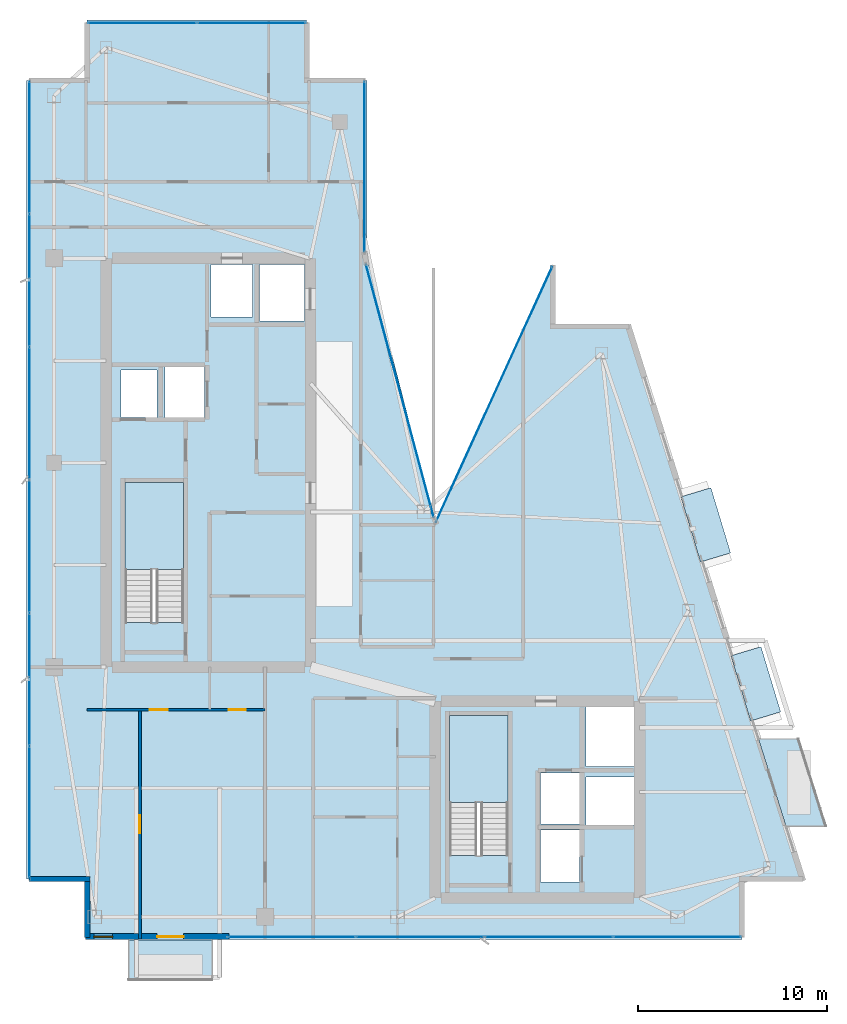
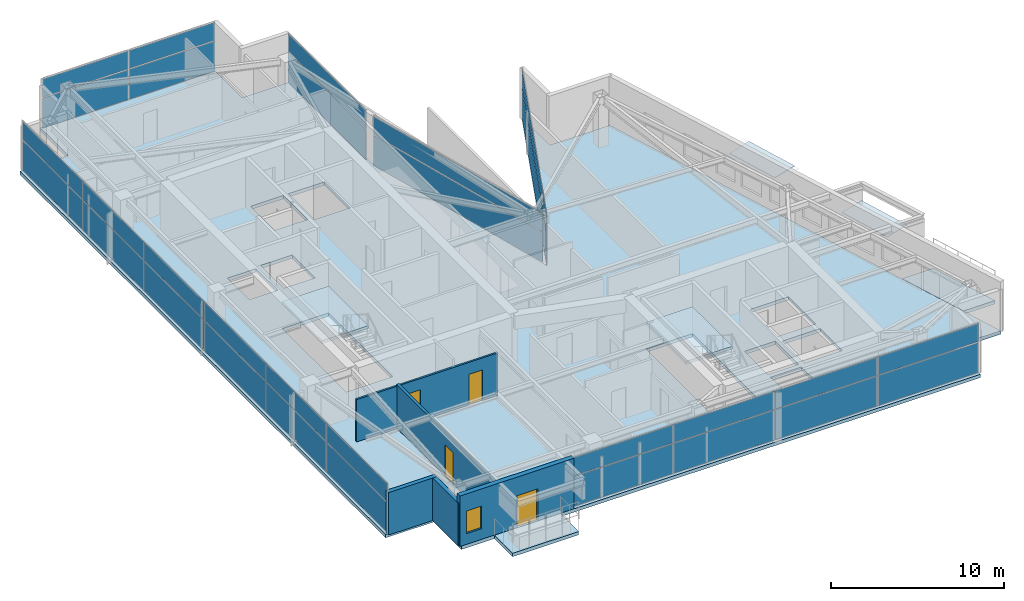
# One storey, part 21 of 27: 32 plates, 5 slabs, 5 walls, 4 doors, 1 window, 5 openings, 8 elements without a shape of their own.
"""IFC4 building model written with IfcOpenShell, lengths in metres."""

from ifc_helpers import new_model, si_unit, direction, frame, frame_2d, origin, origin_2d, place, context, subcontext, project, spatial, polyline, rectangle, outline, extrude, material, layer, layer_set, type_object, element, fill, aggregate, save


model = new_model("IFC4")

# Units and contexts
model_context = context("Model", 3, precision=1e-05, world=origin(), true_north=direction((0.0, 1.0)))
body_context = subcontext(model_context, "Body", "Model", "MODEL_VIEW")
ifc_project = project(units=[si_unit("LENGTHUNIT", "METRE"), si_unit("AREAUNIT", "SQUARE_METRE"), si_unit("VOLUMEUNIT", "CUBIC_METRE"), si_unit("PLANEANGLEUNIT", "RADIAN"), si_unit("MASSUNIT", "GRAM", prefix="KILO")], contexts=[model_context])

# Site, building, storey
site_placement = place(None, origin())
site = spatial("IfcSite", under=ifc_project, at=site_placement, CompositionType="ELEMENT")
building_placement = place(site_placement, origin())
building = spatial("IfcBuilding", under=site, at=building_placement, Name="Calvorn Quay Hotel", CompositionType="ELEMENT")
storey_placement = place(building_placement, frame((0.0, 0.0, 291.10009765625)))
storey = spatial("IfcBuildingStorey", under=building, at=storey_placement, Name="L72", CompositionType="ELEMENT", Elevation=291.10009765625)

# Curtain wall, plates
ifc_material_1 = material(Name="Champagne Bronze Anodised Aluminium and Low-E Glass", Category="aluminium")
ifc_layer_1 = layer(ifc_material_1, 0.219970703125)
ifc_layer_set_1 = layer_set([ifc_layer_1], Name="CW-SYS-Z4")
curtain_wall_type = type_object("IfcCurtainWallType", Name="CW-SYS-Z4", PredefinedType="NOTDEFINED", material=ifc_layer_set_1)
curtain_wall_1_placement = place(storey_placement, origin())
curtain_wall_1 = element("IfcCurtainWall", 1, at=curtain_wall_1_placement, inside=storey, type_object=curtain_wall_type, Name="Tower West Curtain Wall (L72)", PredefinedType="NOTDEFINED")
ifc_material_2 = material(Name="Low-E Laminated Double Glazing", Category="glass")
ifc_layer_2 = layer(ifc_material_2, 0.028076171875)
ifc_layer_set_2 = layer_set([ifc_layer_2], Name="CW-SYS-Z4-PAN")
plate_type_1 = type_object("IfcPlateType", Name="CW-SYS-Z4-PAN", PredefinedType="CURTAIN_PANEL", material=ifc_layer_set_2)
plate_1_placement = place(storey_placement, frame((0.14990234375, 9.131591796875, 0.06005859375), z_axis=(0.0, 0.0, 1.0), x_axis=(0.0, 1.0, 0.0)))
plate_1 = element("IfcPlate", 2, at=plate_1_placement, type_object=plate_type_1, Name="CW-L72-W panel 1.1", PredefinedType="CURTAIN_PANEL", context=body_context, shape_type="SweptSolid", body=[
    extrude(rectangle(XDim=6.943359375, YDim=0.028076171875, at=origin_2d()), origin(), (0.0, 0.0, 1.0), 2.110107421875),
])
plate_2_placement = place(storey_placement, frame((0.14990234375, 9.131591796875, 2.22998046875), z_axis=(0.0, 0.0, 1.0), x_axis=(0.0, 1.0, 0.0)))
plate_2 = element("IfcPlate", 3, at=plate_2_placement, type_object=plate_type_1, Name="CW-L72-W panel 1.2", PredefinedType="CURTAIN_PANEL", context=body_context, shape_type="SweptSolid", body=[
    extrude(rectangle(XDim=6.943359375, YDim=0.028076171875, at=origin_2d()), origin(), (0.0, 0.0, 1.0), 1.27001953125),
])
plate_3_placement = place(storey_placement, frame((0.14990234375, 16.14990234375, 0.06005859375), z_axis=(0.0, 0.0, 1.0), x_axis=(0.0, 1.0, 0.0)))
plate_3 = element("IfcPlate", 4, at=plate_3_placement, type_object=plate_type_1, Name="CW-L72-W panel 2.1", PredefinedType="CURTAIN_PANEL", context=body_context, shape_type="SweptSolid", body=[
    extrude(rectangle(XDim=6.973388671875, YDim=0.028076171875, at=origin_2d()), origin(), (0.0, 0.0, 1.0), 2.110107421875),
])
plate_4_placement = place(storey_placement, frame((0.14990234375, 16.14990234375, 2.22998046875), z_axis=(0.0, 0.0, 1.0), x_axis=(0.0, 1.0, 0.0)))
plate_4 = element("IfcPlate", 5, at=plate_4_placement, type_object=plate_type_1, Name="CW-L72-W panel 2.2", PredefinedType="CURTAIN_PANEL", context=body_context, shape_type="SweptSolid", body=[
    extrude(rectangle(XDim=6.973388671875, YDim=0.028076171875, at=origin_2d()), origin(), (0.0, 0.0, 1.0), 1.27001953125),
])
plate_5_placement = place(storey_placement, frame((0.14990234375, 23.183349609375, 0.06005859375), z_axis=(0.0, 0.0, 1.0), x_axis=(0.0, 1.0, 0.0)))
plate_5 = element("IfcPlate", 6, at=plate_5_placement, type_object=plate_type_1, Name="CW-L72-W panel 3.1", PredefinedType="CURTAIN_PANEL", context=body_context, shape_type="SweptSolid", body=[
    extrude(rectangle(XDim=6.973388671875, YDim=0.028076171875, at=origin_2d()), origin(), (0.0, 0.0, 1.0), 2.110107421875),
])
plate_6_placement = place(storey_placement, frame((0.14990234375, 23.183349609375, 2.22998046875), z_axis=(0.0, 0.0, 1.0), x_axis=(0.0, 1.0, 0.0)))
plate_6 = element("IfcPlate", 7, at=plate_6_placement, type_object=plate_type_1, Name="CW-L72-W panel 3.2", PredefinedType="CURTAIN_PANEL", context=body_context, shape_type="SweptSolid", body=[
    extrude(rectangle(XDim=6.973388671875, YDim=0.028076171875, at=origin_2d()), origin(), (0.0, 0.0, 1.0), 1.27001953125),
])
plate_7_placement = place(storey_placement, frame((0.14990234375, 30.216552734375, 0.06005859375), z_axis=(0.0, 0.0, 1.0), x_axis=(0.0, 1.0, 0.0)))
plate_7 = element("IfcPlate", 8, at=plate_7_placement, type_object=plate_type_1, Name="CW-L72-W panel 4.1", PredefinedType="CURTAIN_PANEL", context=body_context, shape_type="SweptSolid", body=[
    extrude(rectangle(XDim=6.973388671875, YDim=0.028076171875, at=origin_2d()), origin(), (0.0, 0.0, 1.0), 2.110107421875),
])
plate_8_placement = place(storey_placement, frame((0.14990234375, 30.216552734375, 2.22998046875), z_axis=(0.0, 0.0, 1.0), x_axis=(0.0, 1.0, 0.0)))
plate_8 = element("IfcPlate", 9, at=plate_8_placement, type_object=plate_type_1, Name="CW-L72-W panel 4.2", PredefinedType="CURTAIN_PANEL", context=body_context, shape_type="SweptSolid", body=[
    extrude(rectangle(XDim=6.973388671875, YDim=0.028076171875, at=origin_2d()), origin(), (0.0, 0.0, 1.0), 1.27001953125),
])
plate_9_placement = place(storey_placement, frame((0.14990234375, 37.25, 0.06005859375), z_axis=(0.0, 0.0, 1.0), x_axis=(0.0, 1.0, 0.0)))
plate_9 = element("IfcPlate", 10, at=plate_9_placement, type_object=plate_type_1, Name="CW-L72-W panel 5.1", PredefinedType="CURTAIN_PANEL", context=body_context, shape_type="SweptSolid", body=[
    extrude(rectangle(XDim=6.973388671875, YDim=0.028076171875, at=origin_2d()), origin(), (0.0, 0.0, 1.0), 2.110107421875),
])
plate_10_placement = place(storey_placement, frame((0.14990234375, 37.25, 2.22998046875), z_axis=(0.0, 0.0, 1.0), x_axis=(0.0, 1.0, 0.0)))
plate_10 = element("IfcPlate", 11, at=plate_10_placement, type_object=plate_type_1, Name="CW-L72-W panel 5.2", PredefinedType="CURTAIN_PANEL", context=body_context, shape_type="SweptSolid", body=[
    extrude(rectangle(XDim=6.973388671875, YDim=0.028076171875, at=origin_2d()), origin(), (0.0, 0.0, 1.0), 1.27001953125),
])
plate_11_placement = place(storey_placement, frame((0.14990234375, 44.268310546875, 0.06005859375), z_axis=(0.0, 0.0, 1.0), x_axis=(0.0, 1.0, 0.0)))
plate_11 = element("IfcPlate", 12, at=plate_11_placement, type_object=plate_type_1, Name="CW-L72-W panel 6.1", PredefinedType="CURTAIN_PANEL", context=body_context, shape_type="SweptSolid", body=[
    extrude(rectangle(XDim=6.943359375, YDim=0.028076171875, at=origin_2d()), origin(), (0.0, 0.0, 1.0), 2.110107421875),
])
plate_12_placement = place(storey_placement, frame((0.14990234375, 44.268310546875, 2.22998046875), z_axis=(0.0, 0.0, 1.0), x_axis=(0.0, 1.0, 0.0)))
plate_12 = element("IfcPlate", 13, at=plate_12_placement, type_object=plate_type_1, Name="CW-L72-W panel 6.2", PredefinedType="CURTAIN_PANEL", context=body_context, shape_type="SweptSolid", body=[
    extrude(rectangle(XDim=6.943359375, YDim=0.028076171875, at=origin_2d()), origin(), (0.0, 0.0, 1.0), 1.27001953125),
])
aggregate(curtain_wall_1, [plate_1, plate_2, plate_3, plate_4, plate_5, plate_6, plate_7, plate_8, plate_9, plate_10, plate_11, plate_12])

curtain_wall_2_placement = place(storey_placement, origin())
curtain_wall_2 = element("IfcCurtainWall", 14, at=curtain_wall_2_placement, inside=storey, type_object=curtain_wall_type, Name="Tower South Waterfront Curtain Wall (L72)", PredefinedType="NOTDEFINED")
plate_13_placement = place(storey_placement, frame((14.014892578125, 2.550048828125, 0.06005859375), z_axis=(0.0, 0.0, 1.0), x_axis=(1.0, 0.0, 0.0)))
plate_13 = element("IfcPlate", 15, at=plate_13_placement, type_object=plate_type_1, Name="CW-L72-S panel 1.1", PredefinedType="CURTAIN_PANEL", context=body_context, shape_type="SweptSolid", body=[
    extrude(rectangle(XDim=6.7099609375, YDim=0.028076171875, at=origin_2d()), origin(), (0.0, 0.0, 1.0), 2.110107421875),
])
plate_14_placement = place(storey_placement, frame((14.014892578125, 2.550048828125, 2.22998046875), z_axis=(0.0, 0.0, 1.0), x_axis=(1.0, 0.0, 0.0)))
plate_14 = element("IfcPlate", 16, at=plate_14_placement, type_object=plate_type_1, Name="CW-L72-S panel 1.2", PredefinedType="CURTAIN_PANEL", context=body_context, shape_type="SweptSolid", body=[
    extrude(rectangle(XDim=6.7099609375, YDim=0.028076171875, at=origin_2d()), origin(), (0.0, 0.0, 1.0), 1.27001953125),
])
plate_15_placement = place(storey_placement, frame((20.800048828125, 2.550048828125, 0.06005859375), z_axis=(0.0, 0.0, 1.0), x_axis=(1.0, 0.0, 0.0)))
plate_15 = element("IfcPlate", 17, at=plate_15_placement, type_object=plate_type_1, Name="CW-L72-S panel 2.1", PredefinedType="CURTAIN_PANEL", context=body_context, shape_type="SweptSolid", body=[
    extrude(rectangle(XDim=6.739990234375, YDim=0.028076171875, at=origin_2d()), origin(), (0.0, 0.0, 1.0), 2.110107421875),
])
plate_16_placement = place(storey_placement, frame((20.800048828125, 2.550048828125, 2.22998046875), z_axis=(0.0, 0.0, 1.0), x_axis=(1.0, 0.0, 0.0)))
plate_16 = element("IfcPlate", 18, at=plate_16_placement, type_object=plate_type_1, Name="CW-L72-S panel 2.2", PredefinedType="CURTAIN_PANEL", context=body_context, shape_type="SweptSolid", body=[
    extrude(rectangle(XDim=6.739990234375, YDim=0.028076171875, at=origin_2d()), origin(), (0.0, 0.0, 1.0), 1.27001953125),
])
plate_17_placement = place(storey_placement, frame((27.60009765625, 2.550048828125, 0.06005859375), z_axis=(0.0, 0.0, 1.0), x_axis=(1.0, 0.0, 0.0)))
plate_17 = element("IfcPlate", 19, at=plate_17_placement, type_object=plate_type_1, Name="CW-L72-S panel 3.1", PredefinedType="CURTAIN_PANEL", context=body_context, shape_type="SweptSolid", body=[
    extrude(rectangle(XDim=6.739990234375, YDim=0.028076171875, at=origin_2d()), origin(), (0.0, 0.0, 1.0), 2.110107421875),
])
plate_18_placement = place(storey_placement, frame((27.60009765625, 2.550048828125, 2.22998046875), z_axis=(0.0, 0.0, 1.0), x_axis=(1.0, 0.0, 0.0)))
plate_18 = element("IfcPlate", 20, at=plate_18_placement, type_object=plate_type_1, Name="CW-L72-S panel 3.2", PredefinedType="CURTAIN_PANEL", context=body_context, shape_type="SweptSolid", body=[
    extrude(rectangle(XDim=6.739990234375, YDim=0.028076171875, at=origin_2d()), origin(), (0.0, 0.0, 1.0), 1.27001953125),
])
plate_19_placement = place(storey_placement, frame((34.385009765625, 2.550048828125, 0.06005859375), z_axis=(0.0, 0.0, 1.0), x_axis=(1.0, 0.0, 0.0)))
plate_19 = element("IfcPlate", 21, at=plate_19_placement, type_object=plate_type_1, Name="CW-L72-S panel 4.1", PredefinedType="CURTAIN_PANEL", context=body_context, shape_type="SweptSolid", body=[
    extrude(rectangle(XDim=6.7099609375, YDim=0.028076171875, at=origin_2d()), origin(), (0.0, 0.0, 1.0), 2.110107421875),
])
plate_20_placement = place(storey_placement, frame((34.385009765625, 2.550048828125, 2.22998046875), z_axis=(0.0, 0.0, 1.0), x_axis=(1.0, 0.0, 0.0)))
plate_20 = element("IfcPlate", 22, at=plate_20_placement, type_object=plate_type_1, Name="CW-L72-S panel 4.2", PredefinedType="CURTAIN_PANEL", context=body_context, shape_type="SweptSolid", body=[
    extrude(rectangle(XDim=6.7099609375, YDim=0.028076171875, at=origin_2d()), origin(), (0.0, 0.0, 1.0), 1.27001953125),
])
aggregate(curtain_wall_2, [plate_13, plate_14, plate_15, plate_16, plate_17, plate_18, plate_19, plate_20])

curtain_wall_3_placement = place(storey_placement, origin())
curtain_wall_3 = element("IfcCurtainWall", 23, at=curtain_wall_3_placement, inside=storey, type_object=curtain_wall_type, Name="Inner Court Curtain Wall L72-NE1", PredefinedType="NOTDEFINED")
plate_21_placement = place(storey_placement, frame((24.699951171875, 31.199951171875, 0.06005859375), z_axis=(0.0, 0.0, 1.0), x_axis=(-0.414810847724, -0.909907665981, 0.0)))
plate_21 = element("IfcPlate", 24, at=plate_21_placement, type_object=plate_type_1, Name="CW-L72-NE1 panel 1.1", PredefinedType="CURTAIN_PANEL", context=body_context, shape_type="SweptSolid", body=[
    extrude(rectangle(XDim=14.82666015625, YDim=0.028076171875, at=origin_2d()), origin(), (0.0, 0.0, 1.0), 2.110107421875),
])
plate_22_placement = place(storey_placement, frame((24.699951171875, 31.199951171875, 2.22998046875), z_axis=(0.0, 0.0, 1.0), x_axis=(-0.414810847724, -0.909907665981, 0.0)))
plate_22 = element("IfcPlate", 25, at=plate_22_placement, type_object=plate_type_1, Name="CW-L72-NE1 panel 1.2", PredefinedType="CURTAIN_PANEL", context=body_context, shape_type="SweptSolid", body=[
    extrude(rectangle(XDim=14.82666015625, YDim=0.028076171875, at=origin_2d()), origin(), (0.0, 0.0, 1.0), 1.27001953125),
])
aggregate(curtain_wall_3, [plate_21, plate_22])

curtain_wall_4_placement = place(storey_placement, origin())
curtain_wall_4 = element("IfcCurtainWall", 26, at=curtain_wall_4_placement, inside=storey, type_object=curtain_wall_type, Name="Inner Court Curtain Wall L72-IC1", PredefinedType="NOTDEFINED")
plate_23_placement = place(storey_placement, frame((19.72509765625, 31.39990234375, 0.06005859375), z_axis=(0.0, 0.0, 1.0), x_axis=(-0.25877913024, 0.96593652056, 0.0)))
plate_23 = element("IfcPlate", 27, at=plate_23_placement, type_object=plate_type_1, Name="CW-L72-IC1 panel 1.1", PredefinedType="CURTAIN_PANEL", context=body_context, shape_type="SweptSolid", body=[
    extrude(rectangle(XDim=13.814697265625, YDim=0.028076171875, at=origin_2d()), origin(), (0.0, 0.0, 1.0), 2.110107421875),
])
plate_24_placement = place(storey_placement, frame((19.72509765625, 31.39990234375, 2.22998046875), z_axis=(0.0, 0.0, 1.0), x_axis=(-0.25877913024, 0.96593652056, 0.0)))
plate_24 = element("IfcPlate", 28, at=plate_24_placement, type_object=plate_type_1, Name="CW-L72-IC1 panel 1.2", PredefinedType="CURTAIN_PANEL", context=body_context, shape_type="SweptSolid", body=[
    extrude(rectangle(XDim=13.814697265625, YDim=0.028076171875, at=origin_2d()), origin(), (0.0, 0.0, 1.0), 1.27001953125),
])
aggregate(curtain_wall_4, [plate_23, plate_24])

curtain_wall_5_placement = place(storey_placement, origin())
curtain_wall_5 = element("IfcCurtainWall", 29, at=curtain_wall_5_placement, inside=storey, type_object=curtain_wall_type, Name="Inner Court Curtain Wall L72-IC2", PredefinedType="NOTDEFINED")
plate_25_placement = place(storey_placement, frame((17.85009765625, 43.239990234375, 0.06005859375), z_axis=(0.0, 0.0, 1.0), x_axis=(0.0, 1.0, 0.0)))
plate_25 = element("IfcPlate", 30, at=plate_25_placement, type_object=plate_type_1, Name="CW-L72-IC2 panel 1.1", PredefinedType="CURTAIN_PANEL", context=body_context, shape_type="SweptSolid", body=[
    extrude(rectangle(XDim=9.0, YDim=0.028076171875, at=origin_2d()), origin(), (0.0, 0.0, 1.0), 2.110107421875),
])
plate_26_placement = place(storey_placement, frame((17.85009765625, 43.239990234375, 2.22998046875), z_axis=(0.0, 0.0, 1.0), x_axis=(0.0, 1.0, 0.0)))
plate_26 = element("IfcPlate", 31, at=plate_26_placement, type_object=plate_type_1, Name="CW-L72-IC2 panel 1.2", PredefinedType="CURTAIN_PANEL", context=body_context, shape_type="SweptSolid", body=[
    extrude(rectangle(XDim=9.0, YDim=0.028076171875, at=origin_2d()), origin(), (0.0, 0.0, 1.0), 1.27001953125),
])
aggregate(curtain_wall_5, [plate_25, plate_26])

curtain_wall_6_placement = place(storey_placement, origin())
curtain_wall_6 = element("IfcCurtainWall", 32, at=curtain_wall_6_placement, inside=storey, type_object=curtain_wall_type, Name="Inner Court Curtain Wall L72-N1", PredefinedType="NOTDEFINED")
plate_27_placement = place(storey_placement, frame((11.885009765625, 50.85009765625, 0.06005859375), z_axis=(0.0, 0.0, 1.0), x_axis=(-1.0, 0.0, 0.0)))
plate_27 = element("IfcPlate", 33, at=plate_27_placement, type_object=plate_type_1, Name="CW-L72-N1 panel 1.1", PredefinedType="CURTAIN_PANEL", context=body_context, shape_type="SweptSolid", body=[
    extrude(rectangle(XDim=5.7099609375, YDim=0.028076171875, at=origin_2d()), origin(), (0.0, 0.0, 1.0), 2.110107421875),
])
plate_28_placement = place(storey_placement, frame((11.885009765625, 50.85009765625, 2.22998046875), z_axis=(0.0, 0.0, 1.0), x_axis=(-1.0, 0.0, 0.0)))
plate_28 = element("IfcPlate", 34, at=plate_28_placement, type_object=plate_type_1, Name="CW-L72-N1 panel 1.2", PredefinedType="CURTAIN_PANEL", context=body_context, shape_type="SweptSolid", body=[
    extrude(rectangle(XDim=5.7099609375, YDim=0.028076171875, at=origin_2d()), origin(), (0.0, 0.0, 1.0), 1.27001953125),
])
plate_29_placement = place(storey_placement, frame((6.114990234375, 50.85009765625, 0.06005859375), z_axis=(0.0, 0.0, 1.0), x_axis=(-1.0, 0.0, 0.0)))
plate_29 = element("IfcPlate", 35, at=plate_29_placement, type_object=plate_type_1, Name="CW-L72-N1 panel 2.1", PredefinedType="CURTAIN_PANEL", context=body_context, shape_type="SweptSolid", body=[
    extrude(rectangle(XDim=5.7099609375, YDim=0.028076171875, at=origin_2d()), origin(), (0.0, 0.0, 1.0), 2.110107421875),
])
plate_30_placement = place(storey_placement, frame((6.114990234375, 50.85009765625, 2.22998046875), z_axis=(0.0, 0.0, 1.0), x_axis=(-1.0, 0.0, 0.0)))
plate_30 = element("IfcPlate", 36, at=plate_30_placement, type_object=plate_type_1, Name="CW-L72-N1 panel 2.2", PredefinedType="CURTAIN_PANEL", context=body_context, shape_type="SweptSolid", body=[
    extrude(rectangle(XDim=5.7099609375, YDim=0.028076171875, at=origin_2d()), origin(), (0.0, 0.0, 1.0), 1.27001953125),
])
aggregate(curtain_wall_6, [plate_27, plate_28, plate_29, plate_30])

# Plates
ifc_material_3 = material(Name="Tempered Laminated Low-E Glass", Category="glass")
ifc_layer_3 = layer(ifc_material_3, 0.0380859375)
ifc_layer_set_3 = layer_set([ifc_layer_3], Name="PLT-HOOD-GLAZ")
plate_type_2 = type_object("IfcPlateType", Name="PLT-HOOD-GLAZ", PredefinedType="SHEET", material=ifc_layer_set_3)
for number, where, z_axis, x_axis, name in (
    (37, (38.534912109375, 15.91796875, 2.466796875), (0.0, 0.0, 1.0), (0.957319497532, 0.289031796944, 0.0), "Angled Glass Bay Hood Panel L72-HOOD-2"),
    (38, (35.888916015625, 24.318115234375, 2.466796875), (0.0, 0.0, 1.0), (0.957319497532, 0.289031796944, 0.0), "Angled Glass Bay Hood Panel L72-HOOD-3"),
):
    element("IfcPlate", number, at=place(storey_placement, frame(where, z_axis=z_axis, x_axis=x_axis)), inside=storey, type_object=plate_type_2, Name=name, PredefinedType="SHEET", context=body_context, shape_type="SweptSolid", body=[
        extrude(rectangle(XDim=1.659912109375, YDim=3.60009765625, at=origin_2d()), origin(), (0.0, 0.0, 1.0), 0.0380859375),
    ])

# Slabs
ifc_material_4 = material(Name="Concrete C40", Category="concrete")
ifc_layer_4 = layer(ifc_material_4, 0.239990234375)
ifc_layer_set_4 = layer_set([ifc_layer_4], Name="SLB-BALCONY-220")
slab_type_1 = type_object("IfcSlabType", Name="SLB-BALCONY-220", PredefinedType="FLOOR", material=ifc_layer_set_4)
slab_1_placement = place(storey_placement, frame((0.0, 0.0, -0.239990234375)))
element("IfcSlab", 39, at=slab_1_placement, inside=storey, type_object=slab_type_1, Name="Tree Balcony Slab L72-BALC-E", PredefinedType="FLOOR", context=body_context, shape_type="SweptSolid", body=[
    extrude(outline(polyline([(40.1279296875, 8.39990234375), (42.22802734375, 8.39990234375), (40.778076171875, 13.0), (38.677978515625, 13.0), (40.1279296875, 8.39990234375)])), origin(), (0.0, 0.0, 1.0), 0.239990234375),
])
slab_2_placement = place(storey_placement, frame((0.0, 0.0, -0.239990234375)))
element("IfcSlab", 40, at=slab_2_placement, inside=storey, type_object=slab_type_1, Name="Tree Balcony Slab L72-BALC-S", PredefinedType="FLOOR", context=body_context, shape_type="SweptSolid", body=[
    extrude(outline(polyline([(5.39990234375, 0.2900390625), (9.800048828125, 0.2900390625), (9.800048828125, 2.389892578125), (5.39990234375, 2.389892578125), (5.39990234375, 0.2900390625)])), origin(), (0.0, 0.0, 1.0), 0.239990234375),
])

# Stair, slab
ifc_material_5 = material(Name="Concrete C40", Category="concrete")
stair_type = type_object("IfcStairType", Name="STR-CORE-DOGLEG", PredefinedType="HALF_TURN_STAIR", material=ifc_material_5)
stair_1_placement = place(storey_placement, origin())
stair_1 = element("IfcStair", 41, at=stair_1_placement, inside=storey, type_object=stair_type, Name="L72 ST-W", PredefinedType="HALF_TURN_STAIR")
ifc_material_6 = material(Name="Concrete C40", Category="concrete")
ifc_layer_5 = layer(ifc_material_6, 0.199951171875)
ifc_layer_set_5 = layer_set([ifc_layer_5], Name="SLB-STAIR-LANDING-200")
slab_type_2 = type_object("IfcSlabType", Name="SLB-STAIR-LANDING-200", PredefinedType="LANDING", material=ifc_layer_set_5)
slab_3_placement = place(storey_placement, frame((0.0, 0.0, 1.699951171875)))
slab_3 = element("IfcSlab", 42, at=slab_3_placement, type_object=slab_type_2, Name="ST-W landing 1", PredefinedType="LANDING", context=body_context, shape_type="SweptSolid", body=[
    extrude(outline(polyline([(8.300048828125, 21.949951171875), (8.300048828125, 26.550048828125), (5.199951171875, 26.550048828125), (5.199951171875, 21.949951171875), (8.300048828125, 21.949951171875)])), origin(), (0.0, 0.0, 1.0), 0.199951171875),
])
aggregate(stair_1, [slab_3])

stair_2_placement = place(storey_placement, origin())
stair_2 = element("IfcStair", 43, at=stair_2_placement, inside=storey, type_object=stair_type, Name="L72 ST-E", PredefinedType="HALF_TURN_STAIR")
slab_4_placement = place(storey_placement, frame((0.0, 0.0, 1.699951171875)))
slab_4 = element("IfcSlab", 44, at=slab_4_placement, type_object=slab_type_2, Name="ST-E landing 1", PredefinedType="LANDING", context=body_context, shape_type="SweptSolid", body=[
    extrude(outline(polyline([(25.449951171875, 9.64990234375), (25.449951171875, 14.25), (22.35009765625, 14.25), (22.35009765625, 9.64990234375), (25.449951171875, 9.64990234375)])), origin(), (0.0, 0.0, 1.0), 0.199951171875),
])
aggregate(stair_2, [slab_4])

# Slab
ifc_material_7 = material(Name="Concrete C40", Category="concrete")
ifc_layer_6 = layer(ifc_material_7, 0.239990234375)
ifc_layer_set_6 = layer_set([ifc_layer_6], Name="SLB-TOWER-240")
slab_type_3 = type_object("IfcSlabType", Name="SLB-TOWER-240", PredefinedType="FLOOR", material=ifc_layer_set_6)
slab_5_placement = place(storey_placement, frame((0.0, 0.0, -0.239990234375)))
element("IfcSlab", 45, at=slab_5_placement, inside=storey, type_object=slab_type_3, Name="L72 Structural Floor Slab", PredefinedType="FLOOR", context=body_context, shape_type="SweptSolid", body=[
    extrude(outline(polyline([(0.0, 5.60009765625), (3.199951171875, 5.60009765625), (3.199951171875, 2.39990234375), (37.800048828125, 2.39990234375), (37.800048828125, 5.60009765625), (41.0, 5.60009765625), (31.800048828125, 34.800048828125), (27.800048828125, 34.800048828125), (27.800048828125, 38.0), (21.60009765625, 24.39990234375), (18.0, 38.39990234375), (18.0, 47.800048828125), (14.800048828125, 47.800048828125), (14.800048828125, 51.0), (3.199951171875, 51.0), (3.199951171875, 47.800048828125), (0.0, 47.800048828125), (0.0, 5.60009765625)]), holes=[polyline([(5.199951171875, 19.156005859375), (8.300048828125, 19.156005859375), (8.300048828125, 26.550048828125), (5.199951171875, 26.550048828125), (5.199951171875, 19.156005859375)]), polyline([(22.35009765625, 6.85595703125), (25.449951171875, 6.85595703125), (25.449951171875, 14.25), (22.35009765625, 14.25), (22.35009765625, 6.85595703125)]), polyline([(5.0, 30.0), (6.89990234375, 30.0), (6.89990234375, 32.5), (5.0, 32.5), (5.0, 30.0)]), polyline([(7.300048828125, 30.0), (9.39990234375, 30.0), (9.39990234375, 32.64990234375), (7.300048828125, 32.64990234375), (7.300048828125, 30.0)]), polyline([(27.159912109375, 8.5), (29.2099609375, 8.5), (29.2099609375, 11.199951171875), (27.159912109375, 11.199951171875), (27.159912109375, 8.5)]), polyline([(27.159912109375, 5.449951171875), (29.2099609375, 5.449951171875), (29.2099609375, 8.199951171875), (27.159912109375, 8.199951171875), (27.159912109375, 5.449951171875)]), polyline([(12.300048828125, 35.10009765625), (14.68994140625, 35.10009765625), (14.68994140625, 38.090087890625), (12.300048828125, 38.090087890625), (12.300048828125, 35.10009765625)]), polyline([(9.75, 35.300048828125), (11.949951171875, 35.300048828125), (11.949951171875, 38.090087890625), (9.75, 38.090087890625), (9.75, 35.300048828125)]), polyline([(29.550048828125, 11.550048828125), (32.090087890625, 11.550048828125), (32.090087890625, 14.68994140625), (29.550048828125, 14.68994140625), (29.550048828125, 11.550048828125)]), polyline([(29.550048828125, 8.449951171875), (32.090087890625, 8.449951171875), (32.090087890625, 11.0), (29.550048828125, 11.0), (29.550048828125, 8.449951171875)])]), origin(), (0.0, 0.0, 1.0), 0.239990234375),
])

# Wall, openings, doors
ifc_material_8 = material(Name="Moisture-Resistant Tile-Backed Partition")
ifc_layer_7 = layer(ifc_material_8, 0.125)
ifc_layer_set_7 = layer_set([ifc_layer_7], Name="WL-ENSUITE-125")
wall_type_1 = type_object("IfcWallType", Name="WL-ENSUITE-125", PredefinedType="PARTITIONING", material=ifc_layer_set_7)
wall_1_placement = place(storey_placement, frame((3.199951171875, 14.550048828125, 0.0), z_axis=(0.0, 0.0, 1.0), x_axis=(1.0, 0.0, 0.0)))
wall_1 = element("IfcWall", 46, at=wall_1_placement, inside=storey, type_object=wall_type_1, Name="Partition Wall L72-WL-U01-BH", PredefinedType="PARTITIONING", context=body_context, shape_type="SweptSolid", body=[
    extrude(rectangle(XDim=9.400146484375, YDim=0.125, at=frame_2d((4.7001953125, 0.0))), origin(), (0.0, 0.0, 1.0), 2.989990234375),
])
opening_1_placement = place(wall_1_placement, frame((3.300048828125, 0.0, 0.0)))
opening_1 = element("IfcOpeningElement", 47, at=opening_1_placement, cuts=wall_1, Name="Opening D-L72-S01", PredefinedType="OPENING", context=body_context, shape_type="SweptSolid", body=[
    extrude(rectangle(XDim=0.9599609375, YDim=2.199951171875, at=frame_2d((0.47998046875, 1.10009765625))), frame((0.0, 0.072509765625, 0.0), z_axis=(0.0, -1.0, 0.0), x_axis=(1.0, 0.0, 0.0)), (0.0, 0.0, 1.0), 0.14501953125),
])
opening_2_placement = place(wall_1_placement, frame((7.489990234375, 0.0, 0.0)))
opening_2 = element("IfcOpeningElement", 48, at=opening_2_placement, cuts=wall_1, Name="Opening D-L72-E01", PredefinedType="OPENING", context=body_context, shape_type="SweptSolid", body=[
    extrude(rectangle(XDim=0.89990234375, YDim=2.14990234375, at=frame_2d((0.449951171875, 1.074951171875))), frame((0.0, 0.072509765625, 0.0), z_axis=(0.0, -1.0, 0.0), x_axis=(1.0, 0.0, 0.0)), (0.0, 0.0, 1.0), 0.14501953125),
])
ifc_material_9 = material(Name="Moisture-Sealed Timber En-Suite Door", Category="wood")
door_type_1 = type_object("IfcDoorType", Name="DR-ENSUITE-900", OperationType="NOTDEFINED", PredefinedType="DOOR", material=ifc_material_9)
door_1_placement = place(opening_2_placement, origin())
door_1 = element("IfcDoor", 49, at=door_1_placement, inside=storey, type_object=door_type_1, Name="En-Suite Door 01", OperationType="SINGLE_SWING_RIGHT", OverallHeight=2.14990234375, OverallWidth=0.89990234375, PredefinedType="DOOR", context=body_context, shape_type="SweptSolid", body=[
    extrude(rectangle(XDim=0.89990234375, YDim=2.14990234375, at=frame_2d((0.449951171875, 1.074951171875))), frame((0.0, 0.02490234375, 0.0), z_axis=(0.0, -1.0, 0.0), x_axis=(1.0, 0.0, 0.0)), (0.0, 0.0, 1.0), 0.050048828125),
])
fill(opening_2, door_1)
ifc_material_10 = material(Name="Solid Timber Internal Suite Door", Category="wood")
door_type_2 = type_object("IfcDoorType", Name="DR-SUITE-INT-960", OperationType="NOTDEFINED", PredefinedType="DOOR", material=ifc_material_10)
door_2_placement = place(opening_1_placement, origin())
door_2 = element("IfcDoor", 50, at=door_2_placement, inside=storey, type_object=door_type_2, Name="Walk-In Wardrobe Door 01", OperationType="SINGLE_SWING_LEFT", OverallHeight=2.199951171875, OverallWidth=0.9599609375, PredefinedType="DOOR", context=body_context, shape_type="SweptSolid", body=[
    extrude(rectangle(XDim=0.9599609375, YDim=2.199951171875, at=frame_2d((0.47998046875, 1.10009765625))), frame((0.0, 0.02490234375, 0.0), z_axis=(0.0, -1.0, 0.0), x_axis=(1.0, 0.0, 0.0)), (0.0, 0.0, 1.0), 0.050048828125),
])
fill(opening_1, door_2)

# Wall, openings, door, window
ifc_material_11 = material(Name="Concrete C40", Category="concrete")
ifc_layer_8 = layer(ifc_material_11, 0.320068359375)
ifc_layer_set_8 = layer_set([ifc_layer_8], Name="WL-EXT-SPANDREL-320")
wall_type_2 = type_object("IfcWallType", Name="WL-EXT-SPANDREL-320", PredefinedType="SOLIDWALL", material=ifc_layer_set_8)
wall_2_placement = place(storey_placement, frame((3.10009765625, 2.56005859375, 0.0), z_axis=(0.0, 0.0, 1.0), x_axis=(1.0, 0.0, 0.0)))
wall_2 = element("IfcWall", 51, at=wall_2_placement, inside=storey, type_object=wall_type_2, Name="South Balcony Exterior Wall (L72)", PredefinedType="SOLIDWALL", context=body_context, shape_type="SweptSolid", body=[
    extrude(rectangle(XDim=7.599853515625, YDim=0.320068359375, at=frame_2d((3.7998046875, 0.0))), origin(), (0.0, 0.0, 1.0), 3.559814453125),
])
opening_3_placement = place(wall_2_placement, frame((0.449951171875, 0.0, 0.75)))
opening_3 = element("IfcOpeningElement", 52, at=opening_3_placement, cuts=wall_2, Name="Opening WSB-L72-1", PredefinedType="OPENING", context=body_context, shape_type="SweptSolid", body=[
    extrude(rectangle(XDim=1.0, YDim=1.60009765625, at=frame_2d((0.5, 0.800048828125))), frame((0.0, 0.169921875, 0.0), z_axis=(0.0, -1.0, 0.0), x_axis=(1.0, 0.0, 0.0)), (0.0, 0.0, 1.0), 0.340087890625),
])
opening_4_placement = place(wall_2_placement, frame((3.800048828125, 0.0, 0.0)))
opening_4 = element("IfcOpeningElement", 53, at=opening_4_placement, cuts=wall_2, Name="Opening DB-L72-2", PredefinedType="OPENING", context=body_context, shape_type="SweptSolid", body=[
    extrude(rectangle(XDim=1.39990234375, YDim=2.25, at=frame_2d((0.699951171875, 1.125))), frame((0.0, 0.169921875, 0.0), z_axis=(0.0, -1.0, 0.0), x_axis=(1.0, 0.0, 0.0)), (0.0, 0.0, 1.0), 0.340087890625),
])
ifc_material_12 = material(Name="Typhoon-Rated Low-E Aluminium Terrace Door", Category="aluminium")
door_type_3 = type_object("IfcDoorType", Name="DR-BALCONY-GLZ-1400", OperationType="NOTDEFINED", PredefinedType="DOOR", material=ifc_material_12)
door_3_placement = place(opening_4_placement, origin())
door_3 = element("IfcDoor", 54, at=door_3_placement, inside=storey, type_object=door_type_3, Name="Tree Balcony Terrace Door L72-BALC-S", OperationType="SINGLE_SWING_LEFT", OverallHeight=2.25, OverallWidth=1.39990234375, PredefinedType="DOOR", context=body_context, shape_type="SweptSolid", body=[
    extrude(rectangle(XDim=1.39990234375, YDim=2.25, at=frame_2d((0.699951171875, 1.125))), frame((0.0, 0.02490234375, 0.0), z_axis=(0.0, -1.0, 0.0), x_axis=(1.0, 0.0, 0.0)), (0.0, 0.0, 1.0), 0.050048828125),
])
fill(opening_4, door_3)
ifc_material_13 = material(Name="Self-Closing Class B Side Fire Window")
window_type = type_object("IfcWindowType", Name="WIN-REFUGE-NARROW-1000x1600", PartitioningType="SINGLE_PANEL", PredefinedType="WINDOW", material=ifc_material_13)
window_placement = place(opening_3_placement, origin())
window = element("IfcWindow", 55, at=window_placement, inside=storey, type_object=window_type, Name="South Waterfront Side Window (L72)", OverallHeight=1.60009765625, OverallWidth=1.0, PartitioningType="SINGLE_PANEL", PredefinedType="WINDOW", context=body_context, shape_type="SweptSolid", body=[
    extrude(rectangle(XDim=1.0, YDim=1.60009765625, at=frame_2d((0.5, 0.800048828125))), frame((0.0, 0.030029296875, 0.0), z_axis=(0.0, -1.0, 0.0), x_axis=(1.0, 0.0, 0.0)), (0.0, 0.0, 1.0), 0.06005859375),
])
fill(opening_3, window)

# Walls
wall_3_placement = place(storey_placement, frame((0.1201171875, 5.60009765625, 0.0), z_axis=(0.0, 0.0, 1.0), x_axis=(1.0, 0.0, 0.0)))
element("IfcWall", 56, at=wall_3_placement, inside=storey, type_object=wall_type_2, Name="Notched Corner Spandrel L72-SW1", PredefinedType="SOLIDWALL", context=body_context, shape_type="SweptSolid", body=[
    extrude(rectangle(XDim=3.219970703125, YDim=0.280029296875, at=frame_2d((1.60986328125, 0.0))), origin(), (0.0, 0.0, 1.0), 2.989990234375),
])
wall_4_placement = place(storey_placement, frame((3.199951171875, 5.4599609375, 0.0), z_axis=(0.0, 0.0, 1.0), x_axis=(0.0, -1.0, 0.0)))
element("IfcWall", 57, at=wall_4_placement, inside=storey, type_object=wall_type_2, Name="Notched Corner Spandrel L72-SW2", PredefinedType="SOLIDWALL", context=body_context, shape_type="SweptSolid", body=[
    extrude(rectangle(XDim=2.93994140625, YDim=0.280029296875, at=frame_2d((1.469970703125, 0.0))), origin(), (0.0, 0.0, 1.0), 2.989990234375),
])

# Wall, opening, door
ifc_material_14 = material(Name="Double-Stud Acoustic Gypsum Partition")
ifc_layer_9 = layer(ifc_material_14, 0.159912109375)
ifc_layer_set_9 = layer_set([ifc_layer_9], Name="WL-INTERSUITE-160")
wall_type_3 = type_object("IfcWallType", Name="WL-INTERSUITE-160", PredefinedType="PARTITIONING", material=ifc_layer_set_9)
wall_5_placement = place(storey_placement, frame((5.97998046875, 2.43994140625, 0.0), z_axis=(0.0, 0.0, 1.0), x_axis=(0.0, 1.0, 0.0)))
wall_5 = element("IfcWall", 58, at=wall_5_placement, inside=storey, type_object=wall_type_3, Name="Partition Wall L72-WL-U01-MSP", PredefinedType="PARTITIONING", context=body_context, shape_type="SweptSolid", body=[
    extrude(rectangle(XDim=12.110107421875, YDim=0.159912109375, at=frame_2d((6.05517578125, 0.0))), origin(), (0.0, 0.0, 1.0), 3.08984375),
])
opening_5_placement = place(wall_5_placement, frame((5.580078125, 0.0, 0.0)))
opening_5 = element("IfcOpeningElement", 59, at=opening_5_placement, cuts=wall_5, Name="Opening D-L72-M01", PredefinedType="OPENING", context=body_context, shape_type="SweptSolid", body=[
    extrude(rectangle(XDim=0.9599609375, YDim=2.199951171875, at=frame_2d((0.47998046875, 1.10009765625))), frame((0.0, 0.08984375, 0.0), z_axis=(0.0, -1.0, 0.0), x_axis=(1.0, 0.0, 0.0)), (0.0, 0.0, 1.0), 0.179931640625),
])
door_4_placement = place(opening_5_placement, origin())
door_4 = element("IfcDoor", 60, at=door_4_placement, inside=storey, type_object=door_type_2, Name="Suite Bedroom Door 01", OperationType="SINGLE_SWING_LEFT", OverallHeight=2.199951171875, OverallWidth=0.9599609375, PredefinedType="DOOR", context=body_context, shape_type="SweptSolid", body=[
    extrude(rectangle(XDim=0.9599609375, YDim=2.199951171875, at=frame_2d((0.47998046875, 1.10009765625))), frame((0.0, 0.02490234375, 0.0), z_axis=(0.0, -1.0, 0.0), x_axis=(1.0, 0.0, 0.0)), (0.0, 0.0, 1.0), 0.050048828125),
])
fill(opening_5, door_4)

save(model, "model.ifc")
